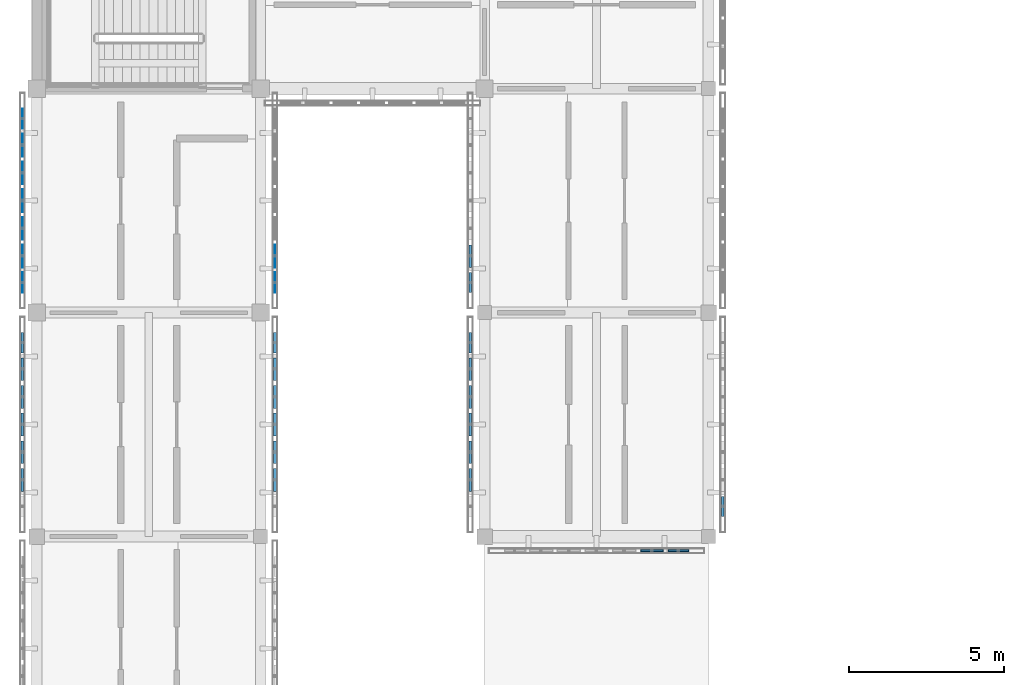
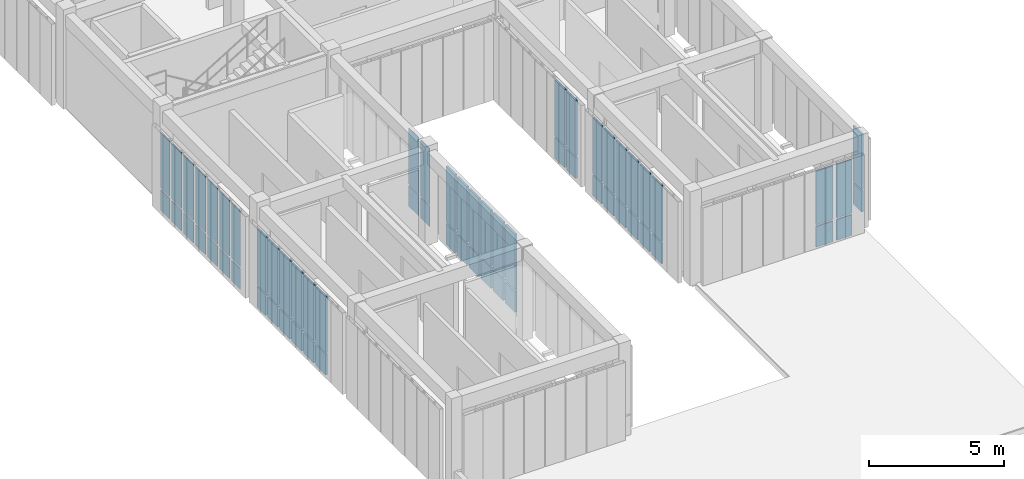
# One storey, part 44 of 91: 64 plates, 8 elements without a shape of their own.
"""IFC4 building model written with IfcOpenShell, lengths in metres."""

from ifc_helpers import new_model, si_unit, direction, frame, origin, origin_2d, place, context, subcontext, project, spatial, rectangle, extrude, material, layer, layer_set, type_object, element, aggregate, save


model = new_model("IFC4")

# Units and contexts
model_context = context("Model", 3, precision=1e-05, world=origin(), true_north=direction((0.0, 1.0)))
body_context = subcontext(model_context, "Body", "Model", "MODEL_VIEW")
ifc_project = project(units=[si_unit("LENGTHUNIT", "METRE"), si_unit("AREAUNIT", "SQUARE_METRE"), si_unit("VOLUMEUNIT", "CUBIC_METRE"), si_unit("PLANEANGLEUNIT", "RADIAN"), si_unit("MASSUNIT", "GRAM", prefix="KILO")], contexts=[model_context])

# Site, building, storey
site_placement = place(None, origin())
site = spatial("IfcSite", under=ifc_project, at=site_placement, CompositionType="ELEMENT")
building_placement = place(site_placement, origin())
building = spatial("IfcBuilding", under=site, at=building_placement, Name="Aldebral Square Health Centre", CompositionType="ELEMENT")
storey_placement = place(building_placement, frame((0.0, 0.0, 9.0)))
storey = spatial("IfcBuildingStorey", under=building, at=storey_placement, Name="L02", CompositionType="ELEMENT", Elevation=9.0)

# Curtain wall, plates
ifc_material_1 = material(Name="Aluminium and low-E solar glass", Category="aluminium")
curtain_wall_type = type_object("IfcCurtainWallType", Name="CW-FIN-SYS", PredefinedType="USERDEFINED", material=ifc_material_1)
curtain_wall_1_placement = place(storey_placement, origin())
curtain_wall_1 = element("IfcCurtainWall", 1, at=curtain_wall_1_placement, inside=storey, type_object=curtain_wall_type, Name="L02 V6 finned curtain wall L02-V6-00-03-W", ObjectType="SOLAR_CURTAIN_WALL", PredefinedType="USERDEFINED")
ifc_material_2 = material(Name="Solar-control low-E double glass", Category="glass")
ifc_layer_1 = layer(ifc_material_2, 0.02001953125, Name="Solar-control low-E double glass", Category="glass")
ifc_layer_set_1 = layer_set([ifc_layer_1], Name="Solar-control low-E double glass")
plate_type_1 = type_object("IfcPlateType", Name="CWP-GLZ-1", PredefinedType="CURTAIN_PANEL", material=ifc_layer_set_1)
plate_1_placement = place(storey_placement, frame((-0.4599609375, 27.834228515625, 0.074951171875), z_axis=(0.0, 0.0, 1.0), x_axis=(0.0, -1.0, 0.0)))
plate_1 = element("IfcPlate", 2, at=plate_1_placement, type_object=plate_type_1, Name="CW1 panel 1.1", PredefinedType="CURTAIN_PANEL", context=body_context, shape_type="SweptSolid", body=[
    extrude(rectangle(XDim=0.6513671875, YDim=0.02001953125, at=origin_2d()), origin(), (0.0, 0.0, 1.0), 0.9375),
])
plate_2_placement = place(storey_placement, frame((-0.4599609375, 27.834228515625, 1.08740234375), z_axis=(0.0, 0.0, 1.0), x_axis=(0.0, -1.0, 0.0)))
plate_2 = element("IfcPlate", 3, at=plate_2_placement, type_object=plate_type_1, Name="CW1 panel 1.2", PredefinedType="CURTAIN_PANEL", context=body_context, shape_type="SweptSolid", body=[
    extrude(rectangle(XDim=0.6513671875, YDim=0.02001953125, at=origin_2d()), origin(), (0.0, 0.0, 1.0), 2.527587890625),
])
plate_3_placement = place(storey_placement, frame((-0.4599609375, 26.98291015625, 0.074951171875), z_axis=(0.0, 0.0, 1.0), x_axis=(0.0, -1.0, 0.0)))
plate_3 = element("IfcPlate", 4, at=plate_3_placement, type_object=plate_type_1, Name="CW1 panel 2.1", PredefinedType="CURTAIN_PANEL", context=body_context, shape_type="SweptSolid", body=[
    extrude(rectangle(XDim=0.7314453125, YDim=0.02001953125, at=origin_2d()), origin(), (0.0, 0.0, 1.0), 0.9375),
])
plate_4_placement = place(storey_placement, frame((-0.4599609375, 26.98291015625, 1.08740234375), z_axis=(0.0, 0.0, 1.0), x_axis=(0.0, -1.0, 0.0)))
plate_4 = element("IfcPlate", 5, at=plate_4_placement, type_object=plate_type_1, Name="CW1 panel 2.2", PredefinedType="CURTAIN_PANEL", context=body_context, shape_type="SweptSolid", body=[
    extrude(rectangle(XDim=0.7314453125, YDim=0.02001953125, at=origin_2d()), origin(), (0.0, 0.0, 1.0), 2.527587890625),
])
plate_5_placement = place(storey_placement, frame((-0.4599609375, 26.09130859375, 0.074951171875), z_axis=(0.0, 0.0, 1.0), x_axis=(0.0, -1.0, 0.0)))
plate_5 = element("IfcPlate", 6, at=plate_5_placement, type_object=plate_type_1, Name="CW1 panel 3.1", PredefinedType="CURTAIN_PANEL", context=body_context, shape_type="SweptSolid", body=[
    extrude(rectangle(XDim=0.7314453125, YDim=0.02001953125, at=origin_2d()), origin(), (0.0, 0.0, 1.0), 0.9375),
])
plate_6_placement = place(storey_placement, frame((-0.4599609375, 26.09130859375, 1.08740234375), z_axis=(0.0, 0.0, 1.0), x_axis=(0.0, -1.0, 0.0)))
plate_6 = element("IfcPlate", 7, at=plate_6_placement, type_object=plate_type_1, Name="CW1 panel 3.2", PredefinedType="CURTAIN_PANEL", context=body_context, shape_type="SweptSolid", body=[
    extrude(rectangle(XDim=0.7314453125, YDim=0.02001953125, at=origin_2d()), origin(), (0.0, 0.0, 1.0), 2.527587890625),
])
plate_7_placement = place(storey_placement, frame((-0.4599609375, 25.199951171875, 0.074951171875), z_axis=(0.0, 0.0, 1.0), x_axis=(0.0, -1.0, 0.0)))
plate_7 = element("IfcPlate", 8, at=plate_7_placement, type_object=plate_type_1, Name="CW1 panel 4.1", PredefinedType="CURTAIN_PANEL", context=body_context, shape_type="SweptSolid", body=[
    extrude(rectangle(XDim=0.7314453125, YDim=0.02001953125, at=origin_2d()), origin(), (0.0, 0.0, 1.0), 0.9375),
])
plate_8_placement = place(storey_placement, frame((-0.4599609375, 25.199951171875, 1.08740234375), z_axis=(0.0, 0.0, 1.0), x_axis=(0.0, -1.0, 0.0)))
plate_8 = element("IfcPlate", 9, at=plate_8_placement, type_object=plate_type_1, Name="CW1 panel 4.2", PredefinedType="CURTAIN_PANEL", context=body_context, shape_type="SweptSolid", body=[
    extrude(rectangle(XDim=0.7314453125, YDim=0.02001953125, at=origin_2d()), origin(), (0.0, 0.0, 1.0), 2.527587890625),
])
plate_9_placement = place(storey_placement, frame((-0.4599609375, 24.30859375, 0.074951171875), z_axis=(0.0, 0.0, 1.0), x_axis=(0.0, -1.0, 0.0)))
plate_9 = element("IfcPlate", 10, at=plate_9_placement, type_object=plate_type_1, Name="CW1 panel 5.1", PredefinedType="CURTAIN_PANEL", context=body_context, shape_type="SweptSolid", body=[
    extrude(rectangle(XDim=0.7314453125, YDim=0.02001953125, at=origin_2d()), origin(), (0.0, 0.0, 1.0), 0.9375),
])
plate_10_placement = place(storey_placement, frame((-0.4599609375, 24.30859375, 1.08740234375), z_axis=(0.0, 0.0, 1.0), x_axis=(0.0, -1.0, 0.0)))
plate_10 = element("IfcPlate", 11, at=plate_10_placement, type_object=plate_type_1, Name="CW1 panel 5.2", PredefinedType="CURTAIN_PANEL", context=body_context, shape_type="SweptSolid", body=[
    extrude(rectangle(XDim=0.7314453125, YDim=0.02001953125, at=origin_2d()), origin(), (0.0, 0.0, 1.0), 2.527587890625),
])
plate_11_placement = place(storey_placement, frame((-0.4599609375, 23.417236328125, 0.074951171875), z_axis=(0.0, 0.0, 1.0), x_axis=(0.0, -1.0, 0.0)))
plate_11 = element("IfcPlate", 12, at=plate_11_placement, type_object=plate_type_1, Name="CW1 panel 6.1", PredefinedType="CURTAIN_PANEL", context=body_context, shape_type="SweptSolid", body=[
    extrude(rectangle(XDim=0.7314453125, YDim=0.02001953125, at=origin_2d()), origin(), (0.0, 0.0, 1.0), 0.9375),
])
plate_12_placement = place(storey_placement, frame((-0.4599609375, 23.417236328125, 1.08740234375), z_axis=(0.0, 0.0, 1.0), x_axis=(0.0, -1.0, 0.0)))
plate_12 = element("IfcPlate", 13, at=plate_12_placement, type_object=plate_type_1, Name="CW1 panel 6.2", PredefinedType="CURTAIN_PANEL", context=body_context, shape_type="SweptSolid", body=[
    extrude(rectangle(XDim=0.7314453125, YDim=0.02001953125, at=origin_2d()), origin(), (0.0, 0.0, 1.0), 2.527587890625),
])
plate_13_placement = place(storey_placement, frame((-0.4599609375, 22.565673828125, 0.074951171875), z_axis=(0.0, 0.0, 1.0), x_axis=(0.0, -1.0, 0.0)))
plate_13 = element("IfcPlate", 14, at=plate_13_placement, type_object=plate_type_1, Name="CW1 panel 7.1", PredefinedType="CURTAIN_PANEL", context=body_context, shape_type="SweptSolid", body=[
    extrude(rectangle(XDim=0.6513671875, YDim=0.02001953125, at=origin_2d()), origin(), (0.0, 0.0, 1.0), 0.9375),
])
plate_14_placement = place(storey_placement, frame((-0.4599609375, 22.565673828125, 1.08740234375), z_axis=(0.0, 0.0, 1.0), x_axis=(0.0, -1.0, 0.0)))
plate_14 = element("IfcPlate", 15, at=plate_14_placement, type_object=plate_type_1, Name="CW1 panel 7.2", PredefinedType="CURTAIN_PANEL", context=body_context, shape_type="SweptSolid", body=[
    extrude(rectangle(XDim=0.6513671875, YDim=0.02001953125, at=origin_2d()), origin(), (0.0, 0.0, 1.0), 2.527587890625),
])
aggregate(curtain_wall_1, [plate_1, plate_2, plate_3, plate_4, plate_5, plate_6, plate_7, plate_8, plate_9, plate_10, plate_11, plate_12, plate_13, plate_14])

curtain_wall_2_placement = place(storey_placement, origin())
curtain_wall_2 = element("IfcCurtainWall", 16, at=curtain_wall_2_placement, inside=storey, type_object=curtain_wall_type, Name="L02 V6 finned curtain wall L02-V6-00-03-E", ObjectType="SOLAR_CURTAIN_WALL", PredefinedType="USERDEFINED")
ifc_layer_2 = layer(ifc_material_2, 0.030029296875, Name="Solar-control low-E double glass", Category="glass")
ifc_layer_set_2 = layer_set([ifc_layer_2], Name="Solar-control low-E double glass")
plate_type_2 = type_object("IfcPlateType", Name="CWP-GLZ-2", PredefinedType="CURTAIN_PANEL", material=ifc_layer_set_2)
plate_15_placement = place(storey_placement, frame((7.659912109375, 22.565673828125, 0.074951171875), z_axis=(0.0, 0.0, 1.0), x_axis=(0.0, 1.0, 0.0)))
plate_15 = element("IfcPlate", 17, at=plate_15_placement, type_object=plate_type_2, Name="CW1 panel 1.1", PredefinedType="CURTAIN_PANEL", context=body_context, shape_type="SweptSolid", body=[
    extrude(rectangle(XDim=0.6513671875, YDim=0.030029296875, at=origin_2d()), origin(), (0.0, 0.0, 1.0), 0.9375),
])
plate_16_placement = place(storey_placement, frame((7.659912109375, 22.565673828125, 1.08740234375), z_axis=(0.0, 0.0, 1.0), x_axis=(0.0, 1.0, 0.0)))
plate_16 = element("IfcPlate", 18, at=plate_16_placement, type_object=plate_type_2, Name="CW1 panel 1.2", PredefinedType="CURTAIN_PANEL", context=body_context, shape_type="SweptSolid", body=[
    extrude(rectangle(XDim=0.6513671875, YDim=0.030029296875, at=origin_2d()), origin(), (0.0, 0.0, 1.0), 2.527587890625),
])
plate_17_placement = place(storey_placement, frame((7.659912109375, 23.417236328125, 0.074951171875), z_axis=(0.0, 0.0, 1.0), x_axis=(0.0, 1.0, 0.0)))
plate_17 = element("IfcPlate", 19, at=plate_17_placement, type_object=plate_type_2, Name="CW1 panel 2.1", PredefinedType="CURTAIN_PANEL", context=body_context, shape_type="SweptSolid", body=[
    extrude(rectangle(XDim=0.7314453125, YDim=0.030029296875, at=origin_2d()), origin(), (0.0, 0.0, 1.0), 0.9375),
])
plate_18_placement = place(storey_placement, frame((7.659912109375, 23.417236328125, 1.08740234375), z_axis=(0.0, 0.0, 1.0), x_axis=(0.0, 1.0, 0.0)))
plate_18 = element("IfcPlate", 20, at=plate_18_placement, type_object=plate_type_2, Name="CW1 panel 2.2", PredefinedType="CURTAIN_PANEL", context=body_context, shape_type="SweptSolid", body=[
    extrude(rectangle(XDim=0.7314453125, YDim=0.030029296875, at=origin_2d()), origin(), (0.0, 0.0, 1.0), 2.527587890625),
])
aggregate(curtain_wall_2, [plate_15, plate_16, plate_17, plate_18])

curtain_wall_3_placement = place(storey_placement, origin())
curtain_wall_3 = element("IfcCurtainWall", 21, at=curtain_wall_3_placement, inside=storey, type_object=curtain_wall_type, Name="L02 V6 finned curtain wall L02-V6-02-02-S", ObjectType="SOLAR_CURTAIN_WALL", PredefinedType="USERDEFINED")
ifc_layer_3 = layer(ifc_material_2, 0.06005859375, Name="Solar-control low-E double glass", Category="glass")
ifc_layer_set_3 = layer_set([ifc_layer_3], Name="Solar-control low-E double glass")
plate_type_3 = type_object("IfcPlateType", Name="CWP-GLZ-5", PredefinedType="CURTAIN_PANEL", material=ifc_layer_set_3)
plate_19_placement = place(storey_placement, frame((19.782958984375, 13.93994140625, 0.074951171875), z_axis=(0.0, 0.0, 1.0), x_axis=(1.0, 0.0, 0.0)))
plate_19 = element("IfcPlate", 22, at=plate_19_placement, type_object=plate_type_3, Name="CW1 panel 6.1", PredefinedType="CURTAIN_PANEL", context=body_context, shape_type="SweptSolid", body=[
    extrude(rectangle(XDim=0.7314453125, YDim=0.06005859375, at=origin_2d()), origin(), (0.0, 0.0, 1.0), 0.9375),
])
plate_20_placement = place(storey_placement, frame((19.782958984375, 13.93994140625, 1.08740234375), z_axis=(0.0, 0.0, 1.0), x_axis=(1.0, 0.0, 0.0)))
plate_20 = element("IfcPlate", 23, at=plate_20_placement, type_object=plate_type_3, Name="CW1 panel 6.2", PredefinedType="CURTAIN_PANEL", context=body_context, shape_type="SweptSolid", body=[
    extrude(rectangle(XDim=0.7314453125, YDim=0.06005859375, at=origin_2d()), origin(), (0.0, 0.0, 1.0), 2.427490234375),
])
plate_21_placement = place(storey_placement, frame((20.63427734375, 13.93994140625, 0.074951171875), z_axis=(0.0, 0.0, 1.0), x_axis=(1.0, 0.0, 0.0)))
plate_21 = element("IfcPlate", 24, at=plate_21_placement, type_object=plate_type_3, Name="CW1 panel 7.1", PredefinedType="CURTAIN_PANEL", context=body_context, shape_type="SweptSolid", body=[
    extrude(rectangle(XDim=0.6513671875, YDim=0.06005859375, at=origin_2d()), origin(), (0.0, 0.0, 1.0), 0.9375),
])
plate_22_placement = place(storey_placement, frame((20.63427734375, 13.93994140625, 1.08740234375), z_axis=(0.0, 0.0, 1.0), x_axis=(1.0, 0.0, 0.0)))
plate_22 = element("IfcPlate", 25, at=plate_22_placement, type_object=plate_type_3, Name="CW1 panel 7.2", PredefinedType="CURTAIN_PANEL", context=body_context, shape_type="SweptSolid", body=[
    extrude(rectangle(XDim=0.6513671875, YDim=0.06005859375, at=origin_2d()), origin(), (0.0, 0.0, 1.0), 2.427490234375),
])
aggregate(curtain_wall_3, [plate_19, plate_20, plate_21, plate_22])

curtain_wall_4_placement = place(storey_placement, origin())
curtain_wall_4 = element("IfcCurtainWall", 26, at=curtain_wall_4_placement, inside=storey, type_object=curtain_wall_type, Name="L02 V6 finned curtain wall L02-V6-02-02-W", ObjectType="SOLAR_CURTAIN_WALL", PredefinedType="USERDEFINED")
ifc_layer_4 = layer(ifc_material_2, 0.070068359375, Name="Solar-control low-E double glass", Category="glass")
ifc_layer_set_4 = layer_set([ifc_layer_4], Name="Solar-control low-E double glass")
plate_type_4 = type_object("IfcPlateType", Name="CWP-GLZ-6", PredefinedType="CURTAIN_PANEL", material=ifc_layer_set_4)
plate_23_placement = place(storey_placement, frame((13.93994140625, 20.63427734375, 0.074951171875), z_axis=(0.0, 0.0, 1.0), x_axis=(0.0, -1.0, 0.0)))
plate_23 = element("IfcPlate", 27, at=plate_23_placement, type_object=plate_type_4, Name="CW1 panel 1.1", PredefinedType="CURTAIN_PANEL", context=body_context, shape_type="SweptSolid", body=[
    extrude(rectangle(XDim=0.6513671875, YDim=0.070068359375, at=origin_2d()), origin(), (0.0, 0.0, 1.0), 0.9375),
])
plate_24_placement = place(storey_placement, frame((13.93994140625, 20.63427734375, 1.08740234375), z_axis=(0.0, 0.0, 1.0), x_axis=(0.0, -1.0, 0.0)))
plate_24 = element("IfcPlate", 28, at=plate_24_placement, type_object=plate_type_4, Name="CW1 panel 1.2", PredefinedType="CURTAIN_PANEL", context=body_context, shape_type="SweptSolid", body=[
    extrude(rectangle(XDim=0.6513671875, YDim=0.070068359375, at=origin_2d()), origin(), (0.0, 0.0, 1.0), 2.527587890625),
])
plate_25_placement = place(storey_placement, frame((13.93994140625, 19.782958984375, 0.074951171875), z_axis=(0.0, 0.0, 1.0), x_axis=(0.0, -1.0, 0.0)))
plate_25 = element("IfcPlate", 29, at=plate_25_placement, type_object=plate_type_4, Name="CW1 panel 2.1", PredefinedType="CURTAIN_PANEL", context=body_context, shape_type="SweptSolid", body=[
    extrude(rectangle(XDim=0.7314453125, YDim=0.070068359375, at=origin_2d()), origin(), (0.0, 0.0, 1.0), 0.9375),
])
plate_26_placement = place(storey_placement, frame((13.93994140625, 19.782958984375, 1.08740234375), z_axis=(0.0, 0.0, 1.0), x_axis=(0.0, -1.0, 0.0)))
plate_26 = element("IfcPlate", 30, at=plate_26_placement, type_object=plate_type_4, Name="CW1 panel 2.2", PredefinedType="CURTAIN_PANEL", context=body_context, shape_type="SweptSolid", body=[
    extrude(rectangle(XDim=0.7314453125, YDim=0.070068359375, at=origin_2d()), origin(), (0.0, 0.0, 1.0), 2.527587890625),
])
plate_27_placement = place(storey_placement, frame((13.93994140625, 18.891357421875, 0.074951171875), z_axis=(0.0, 0.0, 1.0), x_axis=(0.0, -1.0, 0.0)))
plate_27 = element("IfcPlate", 31, at=plate_27_placement, type_object=plate_type_4, Name="CW1 panel 3.1", PredefinedType="CURTAIN_PANEL", context=body_context, shape_type="SweptSolid", body=[
    extrude(rectangle(XDim=0.7314453125, YDim=0.070068359375, at=origin_2d()), origin(), (0.0, 0.0, 1.0), 0.9375),
])
plate_28_placement = place(storey_placement, frame((13.93994140625, 18.891357421875, 1.08740234375), z_axis=(0.0, 0.0, 1.0), x_axis=(0.0, -1.0, 0.0)))
plate_28 = element("IfcPlate", 32, at=plate_28_placement, type_object=plate_type_4, Name="CW1 panel 3.2", PredefinedType="CURTAIN_PANEL", context=body_context, shape_type="SweptSolid", body=[
    extrude(rectangle(XDim=0.7314453125, YDim=0.070068359375, at=origin_2d()), origin(), (0.0, 0.0, 1.0), 2.527587890625),
])
plate_29_placement = place(storey_placement, frame((13.93994140625, 18.0, 0.074951171875), z_axis=(0.0, 0.0, 1.0), x_axis=(0.0, -1.0, 0.0)))
plate_29 = element("IfcPlate", 33, at=plate_29_placement, type_object=plate_type_4, Name="CW1 panel 4.1", PredefinedType="CURTAIN_PANEL", context=body_context, shape_type="SweptSolid", body=[
    extrude(rectangle(XDim=0.7314453125, YDim=0.070068359375, at=origin_2d()), origin(), (0.0, 0.0, 1.0), 0.9375),
])
plate_30_placement = place(storey_placement, frame((13.93994140625, 18.0, 1.08740234375), z_axis=(0.0, 0.0, 1.0), x_axis=(0.0, -1.0, 0.0)))
plate_30 = element("IfcPlate", 34, at=plate_30_placement, type_object=plate_type_4, Name="CW1 panel 4.2", PredefinedType="CURTAIN_PANEL", context=body_context, shape_type="SweptSolid", body=[
    extrude(rectangle(XDim=0.7314453125, YDim=0.070068359375, at=origin_2d()), origin(), (0.0, 0.0, 1.0), 2.527587890625),
])
plate_31_placement = place(storey_placement, frame((13.93994140625, 17.108642578125, 0.074951171875), z_axis=(0.0, 0.0, 1.0), x_axis=(0.0, -1.0, 0.0)))
plate_31 = element("IfcPlate", 35, at=plate_31_placement, type_object=plate_type_4, Name="CW1 panel 5.1", PredefinedType="CURTAIN_PANEL", context=body_context, shape_type="SweptSolid", body=[
    extrude(rectangle(XDim=0.7314453125, YDim=0.070068359375, at=origin_2d()), origin(), (0.0, 0.0, 1.0), 0.9375),
])
plate_32_placement = place(storey_placement, frame((13.93994140625, 17.108642578125, 1.08740234375), z_axis=(0.0, 0.0, 1.0), x_axis=(0.0, -1.0, 0.0)))
plate_32 = element("IfcPlate", 36, at=plate_32_placement, type_object=plate_type_4, Name="CW1 panel 5.2", PredefinedType="CURTAIN_PANEL", context=body_context, shape_type="SweptSolid", body=[
    extrude(rectangle(XDim=0.7314453125, YDim=0.070068359375, at=origin_2d()), origin(), (0.0, 0.0, 1.0), 2.527587890625),
])
plate_33_placement = place(storey_placement, frame((13.93994140625, 16.217041015625, 0.074951171875), z_axis=(0.0, 0.0, 1.0), x_axis=(0.0, -1.0, 0.0)))
plate_33 = element("IfcPlate", 37, at=plate_33_placement, type_object=plate_type_4, Name="CW1 panel 6.1", PredefinedType="CURTAIN_PANEL", context=body_context, shape_type="SweptSolid", body=[
    extrude(rectangle(XDim=0.7314453125, YDim=0.070068359375, at=origin_2d()), origin(), (0.0, 0.0, 1.0), 0.9375),
])
plate_34_placement = place(storey_placement, frame((13.93994140625, 16.217041015625, 1.08740234375), z_axis=(0.0, 0.0, 1.0), x_axis=(0.0, -1.0, 0.0)))
plate_34 = element("IfcPlate", 38, at=plate_34_placement, type_object=plate_type_4, Name="CW1 panel 6.2", PredefinedType="CURTAIN_PANEL", context=body_context, shape_type="SweptSolid", body=[
    extrude(rectangle(XDim=0.7314453125, YDim=0.070068359375, at=origin_2d()), origin(), (0.0, 0.0, 1.0), 2.527587890625),
])
aggregate(curtain_wall_4, [plate_23, plate_24, plate_25, plate_26, plate_27, plate_28, plate_29, plate_30, plate_31, plate_32, plate_33, plate_34])

curtain_wall_5_placement = place(storey_placement, origin())
curtain_wall_5 = element("IfcCurtainWall", 39, at=curtain_wall_5_placement, inside=storey, type_object=curtain_wall_type, Name="L02 V6 finned curtain wall L02-V6-00-02-W", ObjectType="SOLAR_CURTAIN_WALL", PredefinedType="USERDEFINED")
ifc_layer_5 = layer(ifc_material_2, 0.080078125, Name="Solar-control low-E double glass", Category="glass")
ifc_layer_set_5 = layer_set([ifc_layer_5], Name="Solar-control low-E double glass")
plate_type_5 = type_object("IfcPlateType", Name="CWP-GLZ-7", PredefinedType="CURTAIN_PANEL", material=ifc_layer_set_5)
plate_35_placement = place(storey_placement, frame((-0.4599609375, 20.63427734375, 0.074951171875), z_axis=(0.0, 0.0, 1.0), x_axis=(0.0, -1.0, 0.0)))
plate_35 = element("IfcPlate", 40, at=plate_35_placement, type_object=plate_type_5, Name="CW1 panel 1.1", PredefinedType="CURTAIN_PANEL", context=body_context, shape_type="SweptSolid", body=[
    extrude(rectangle(XDim=0.6513671875, YDim=0.080078125, at=origin_2d()), origin(), (0.0, 0.0, 1.0), 0.9375),
])
plate_36_placement = place(storey_placement, frame((-0.4599609375, 20.63427734375, 1.08740234375), z_axis=(0.0, 0.0, 1.0), x_axis=(0.0, -1.0, 0.0)))
plate_36 = element("IfcPlate", 41, at=plate_36_placement, type_object=plate_type_5, Name="CW1 panel 1.2", PredefinedType="CURTAIN_PANEL", context=body_context, shape_type="SweptSolid", body=[
    extrude(rectangle(XDim=0.6513671875, YDim=0.080078125, at=origin_2d()), origin(), (0.0, 0.0, 1.0), 2.527587890625),
])
plate_37_placement = place(storey_placement, frame((-0.4599609375, 19.782958984375, 0.074951171875), z_axis=(0.0, 0.0, 1.0), x_axis=(0.0, -1.0, 0.0)))
plate_37 = element("IfcPlate", 42, at=plate_37_placement, type_object=plate_type_5, Name="CW1 panel 2.1", PredefinedType="CURTAIN_PANEL", context=body_context, shape_type="SweptSolid", body=[
    extrude(rectangle(XDim=0.7314453125, YDim=0.080078125, at=origin_2d()), origin(), (0.0, 0.0, 1.0), 0.9375),
])
plate_38_placement = place(storey_placement, frame((-0.4599609375, 19.782958984375, 1.08740234375), z_axis=(0.0, 0.0, 1.0), x_axis=(0.0, -1.0, 0.0)))
plate_38 = element("IfcPlate", 43, at=plate_38_placement, type_object=plate_type_5, Name="CW1 panel 2.2", PredefinedType="CURTAIN_PANEL", context=body_context, shape_type="SweptSolid", body=[
    extrude(rectangle(XDim=0.7314453125, YDim=0.080078125, at=origin_2d()), origin(), (0.0, 0.0, 1.0), 2.527587890625),
])
plate_39_placement = place(storey_placement, frame((-0.4599609375, 18.891357421875, 0.074951171875), z_axis=(0.0, 0.0, 1.0), x_axis=(0.0, -1.0, 0.0)))
plate_39 = element("IfcPlate", 44, at=plate_39_placement, type_object=plate_type_5, Name="CW1 panel 3.1", PredefinedType="CURTAIN_PANEL", context=body_context, shape_type="SweptSolid", body=[
    extrude(rectangle(XDim=0.7314453125, YDim=0.080078125, at=origin_2d()), origin(), (0.0, 0.0, 1.0), 0.9375),
])
plate_40_placement = place(storey_placement, frame((-0.4599609375, 18.891357421875, 1.08740234375), z_axis=(0.0, 0.0, 1.0), x_axis=(0.0, -1.0, 0.0)))
plate_40 = element("IfcPlate", 45, at=plate_40_placement, type_object=plate_type_5, Name="CW1 panel 3.2", PredefinedType="CURTAIN_PANEL", context=body_context, shape_type="SweptSolid", body=[
    extrude(rectangle(XDim=0.7314453125, YDim=0.080078125, at=origin_2d()), origin(), (0.0, 0.0, 1.0), 2.527587890625),
])
plate_41_placement = place(storey_placement, frame((-0.4599609375, 18.0, 0.074951171875), z_axis=(0.0, 0.0, 1.0), x_axis=(0.0, -1.0, 0.0)))
plate_41 = element("IfcPlate", 46, at=plate_41_placement, type_object=plate_type_5, Name="CW1 panel 4.1", PredefinedType="CURTAIN_PANEL", context=body_context, shape_type="SweptSolid", body=[
    extrude(rectangle(XDim=0.7314453125, YDim=0.080078125, at=origin_2d()), origin(), (0.0, 0.0, 1.0), 0.9375),
])
plate_42_placement = place(storey_placement, frame((-0.4599609375, 18.0, 1.08740234375), z_axis=(0.0, 0.0, 1.0), x_axis=(0.0, -1.0, 0.0)))
plate_42 = element("IfcPlate", 47, at=plate_42_placement, type_object=plate_type_5, Name="CW1 panel 4.2", PredefinedType="CURTAIN_PANEL", context=body_context, shape_type="SweptSolid", body=[
    extrude(rectangle(XDim=0.7314453125, YDim=0.080078125, at=origin_2d()), origin(), (0.0, 0.0, 1.0), 2.527587890625),
])
plate_43_placement = place(storey_placement, frame((-0.4599609375, 17.108642578125, 0.074951171875), z_axis=(0.0, 0.0, 1.0), x_axis=(0.0, -1.0, 0.0)))
plate_43 = element("IfcPlate", 48, at=plate_43_placement, type_object=plate_type_5, Name="CW1 panel 5.1", PredefinedType="CURTAIN_PANEL", context=body_context, shape_type="SweptSolid", body=[
    extrude(rectangle(XDim=0.7314453125, YDim=0.080078125, at=origin_2d()), origin(), (0.0, 0.0, 1.0), 0.9375),
])
plate_44_placement = place(storey_placement, frame((-0.4599609375, 17.108642578125, 1.08740234375), z_axis=(0.0, 0.0, 1.0), x_axis=(0.0, -1.0, 0.0)))
plate_44 = element("IfcPlate", 49, at=plate_44_placement, type_object=plate_type_5, Name="CW1 panel 5.2", PredefinedType="CURTAIN_PANEL", context=body_context, shape_type="SweptSolid", body=[
    extrude(rectangle(XDim=0.7314453125, YDim=0.080078125, at=origin_2d()), origin(), (0.0, 0.0, 1.0), 2.527587890625),
])
plate_45_placement = place(storey_placement, frame((-0.4599609375, 16.217041015625, 0.074951171875), z_axis=(0.0, 0.0, 1.0), x_axis=(0.0, -1.0, 0.0)))
plate_45 = element("IfcPlate", 50, at=plate_45_placement, type_object=plate_type_5, Name="CW1 panel 6.1", PredefinedType="CURTAIN_PANEL", context=body_context, shape_type="SweptSolid", body=[
    extrude(rectangle(XDim=0.7314453125, YDim=0.080078125, at=origin_2d()), origin(), (0.0, 0.0, 1.0), 0.9375),
])
plate_46_placement = place(storey_placement, frame((-0.4599609375, 16.217041015625, 1.08740234375), z_axis=(0.0, 0.0, 1.0), x_axis=(0.0, -1.0, 0.0)))
plate_46 = element("IfcPlate", 51, at=plate_46_placement, type_object=plate_type_5, Name="CW1 panel 6.2", PredefinedType="CURTAIN_PANEL", context=body_context, shape_type="SweptSolid", body=[
    extrude(rectangle(XDim=0.7314453125, YDim=0.080078125, at=origin_2d()), origin(), (0.0, 0.0, 1.0), 2.527587890625),
])
aggregate(curtain_wall_5, [plate_35, plate_36, plate_37, plate_38, plate_39, plate_40, plate_41, plate_42, plate_43, plate_44, plate_45, plate_46])

curtain_wall_6_placement = place(storey_placement, origin())
curtain_wall_6 = element("IfcCurtainWall", 52, at=curtain_wall_6_placement, inside=storey, type_object=curtain_wall_type, Name="L02 V6 finned curtain wall L02-V6-02-02-E", ObjectType="SOLAR_CURTAIN_WALL", PredefinedType="USERDEFINED")
plate_47_placement = place(storey_placement, frame((22.06005859375, 15.36572265625, 0.074951171875), z_axis=(0.0, 0.0, 1.0), x_axis=(0.0, 1.0, 0.0)))
plate_47 = element("IfcPlate", 53, at=plate_47_placement, type_object=plate_type_5, Name="CW1 panel 1.1", PredefinedType="CURTAIN_PANEL", context=body_context, shape_type="SweptSolid", body=[
    extrude(rectangle(XDim=0.6513671875, YDim=0.080078125, at=origin_2d()), origin(), (0.0, 0.0, 1.0), 0.9375),
])
plate_48_placement = place(storey_placement, frame((22.06005859375, 15.36572265625, 1.08740234375), z_axis=(0.0, 0.0, 1.0), x_axis=(0.0, 1.0, 0.0)))
plate_48 = element("IfcPlate", 54, at=plate_48_placement, type_object=plate_type_5, Name="CW1 panel 1.2", PredefinedType="CURTAIN_PANEL", context=body_context, shape_type="SweptSolid", body=[
    extrude(rectangle(XDim=0.6513671875, YDim=0.080078125, at=origin_2d()), origin(), (0.0, 0.0, 1.0), 2.527587890625),
])
aggregate(curtain_wall_6, [plate_47, plate_48])

curtain_wall_7_placement = place(storey_placement, origin())
curtain_wall_7 = element("IfcCurtainWall", 55, at=curtain_wall_7_placement, inside=storey, type_object=curtain_wall_type, Name="L02 V6 finned curtain wall L02-V6-00-02-E", ObjectType="SOLAR_CURTAIN_WALL", PredefinedType="USERDEFINED")
ifc_layer_6 = layer(ifc_material_2, 0.090087890625, Name="Solar-control low-E double glass", Category="glass")
ifc_layer_set_6 = layer_set([ifc_layer_6], Name="Solar-control low-E double glass")
plate_type_6 = type_object("IfcPlateType", Name="CWP-GLZ-8", PredefinedType="CURTAIN_PANEL", material=ifc_layer_set_6)
plate_49_placement = place(storey_placement, frame((7.659912109375, 16.217041015625, 0.074951171875), z_axis=(0.0, 0.0, 1.0), x_axis=(0.0, 1.0, 0.0)))
plate_49 = element("IfcPlate", 56, at=plate_49_placement, type_object=plate_type_6, Name="CW1 panel 2.1", PredefinedType="CURTAIN_PANEL", context=body_context, shape_type="SweptSolid", body=[
    extrude(rectangle(XDim=0.7314453125, YDim=0.090087890625, at=origin_2d()), origin(), (0.0, 0.0, 1.0), 0.9375),
])
plate_50_placement = place(storey_placement, frame((7.659912109375, 16.217041015625, 1.08740234375), z_axis=(0.0, 0.0, 1.0), x_axis=(0.0, 1.0, 0.0)))
plate_50 = element("IfcPlate", 57, at=plate_50_placement, type_object=plate_type_6, Name="CW1 panel 2.2", PredefinedType="CURTAIN_PANEL", context=body_context, shape_type="SweptSolid", body=[
    extrude(rectangle(XDim=0.7314453125, YDim=0.090087890625, at=origin_2d()), origin(), (0.0, 0.0, 1.0), 2.527587890625),
])
plate_51_placement = place(storey_placement, frame((7.659912109375, 17.108642578125, 0.074951171875), z_axis=(0.0, 0.0, 1.0), x_axis=(0.0, 1.0, 0.0)))
plate_51 = element("IfcPlate", 58, at=plate_51_placement, type_object=plate_type_6, Name="CW1 panel 3.1", PredefinedType="CURTAIN_PANEL", context=body_context, shape_type="SweptSolid", body=[
    extrude(rectangle(XDim=0.7314453125, YDim=0.090087890625, at=origin_2d()), origin(), (0.0, 0.0, 1.0), 0.9375),
])
plate_52_placement = place(storey_placement, frame((7.659912109375, 17.108642578125, 1.08740234375), z_axis=(0.0, 0.0, 1.0), x_axis=(0.0, 1.0, 0.0)))
plate_52 = element("IfcPlate", 59, at=plate_52_placement, type_object=plate_type_6, Name="CW1 panel 3.2", PredefinedType="CURTAIN_PANEL", context=body_context, shape_type="SweptSolid", body=[
    extrude(rectangle(XDim=0.7314453125, YDim=0.090087890625, at=origin_2d()), origin(), (0.0, 0.0, 1.0), 2.527587890625),
])
plate_53_placement = place(storey_placement, frame((7.659912109375, 18.0, 0.074951171875), z_axis=(0.0, 0.0, 1.0), x_axis=(0.0, 1.0, 0.0)))
plate_53 = element("IfcPlate", 60, at=plate_53_placement, type_object=plate_type_6, Name="CW1 panel 4.1", PredefinedType="CURTAIN_PANEL", context=body_context, shape_type="SweptSolid", body=[
    extrude(rectangle(XDim=0.7314453125, YDim=0.090087890625, at=origin_2d()), origin(), (0.0, 0.0, 1.0), 0.9375),
])
plate_54_placement = place(storey_placement, frame((7.659912109375, 18.0, 1.08740234375), z_axis=(0.0, 0.0, 1.0), x_axis=(0.0, 1.0, 0.0)))
plate_54 = element("IfcPlate", 61, at=plate_54_placement, type_object=plate_type_6, Name="CW1 panel 4.2", PredefinedType="CURTAIN_PANEL", context=body_context, shape_type="SweptSolid", body=[
    extrude(rectangle(XDim=0.7314453125, YDim=0.090087890625, at=origin_2d()), origin(), (0.0, 0.0, 1.0), 2.527587890625),
])
plate_55_placement = place(storey_placement, frame((7.659912109375, 18.891357421875, 0.074951171875), z_axis=(0.0, 0.0, 1.0), x_axis=(0.0, 1.0, 0.0)))
plate_55 = element("IfcPlate", 62, at=plate_55_placement, type_object=plate_type_6, Name="CW1 panel 5.1", PredefinedType="CURTAIN_PANEL", context=body_context, shape_type="SweptSolid", body=[
    extrude(rectangle(XDim=0.7314453125, YDim=0.090087890625, at=origin_2d()), origin(), (0.0, 0.0, 1.0), 0.9375),
])
plate_56_placement = place(storey_placement, frame((7.659912109375, 18.891357421875, 1.08740234375), z_axis=(0.0, 0.0, 1.0), x_axis=(0.0, 1.0, 0.0)))
plate_56 = element("IfcPlate", 63, at=plate_56_placement, type_object=plate_type_6, Name="CW1 panel 5.2", PredefinedType="CURTAIN_PANEL", context=body_context, shape_type="SweptSolid", body=[
    extrude(rectangle(XDim=0.7314453125, YDim=0.090087890625, at=origin_2d()), origin(), (0.0, 0.0, 1.0), 2.527587890625),
])
plate_57_placement = place(storey_placement, frame((7.659912109375, 19.782958984375, 0.074951171875), z_axis=(0.0, 0.0, 1.0), x_axis=(0.0, 1.0, 0.0)))
plate_57 = element("IfcPlate", 64, at=plate_57_placement, type_object=plate_type_6, Name="CW1 panel 6.1", PredefinedType="CURTAIN_PANEL", context=body_context, shape_type="SweptSolid", body=[
    extrude(rectangle(XDim=0.7314453125, YDim=0.090087890625, at=origin_2d()), origin(), (0.0, 0.0, 1.0), 0.9375),
])
plate_58_placement = place(storey_placement, frame((7.659912109375, 19.782958984375, 1.08740234375), z_axis=(0.0, 0.0, 1.0), x_axis=(0.0, 1.0, 0.0)))
plate_58 = element("IfcPlate", 65, at=plate_58_placement, type_object=plate_type_6, Name="CW1 panel 6.2", PredefinedType="CURTAIN_PANEL", context=body_context, shape_type="SweptSolid", body=[
    extrude(rectangle(XDim=0.7314453125, YDim=0.090087890625, at=origin_2d()), origin(), (0.0, 0.0, 1.0), 2.527587890625),
])
plate_59_placement = place(storey_placement, frame((7.659912109375, 20.63427734375, 0.074951171875), z_axis=(0.0, 0.0, 1.0), x_axis=(0.0, 1.0, 0.0)))
plate_59 = element("IfcPlate", 66, at=plate_59_placement, type_object=plate_type_6, Name="CW1 panel 7.1", PredefinedType="CURTAIN_PANEL", context=body_context, shape_type="SweptSolid", body=[
    extrude(rectangle(XDim=0.6513671875, YDim=0.090087890625, at=origin_2d()), origin(), (0.0, 0.0, 1.0), 0.9375),
])
plate_60_placement = place(storey_placement, frame((7.659912109375, 20.63427734375, 1.08740234375), z_axis=(0.0, 0.0, 1.0), x_axis=(0.0, 1.0, 0.0)))
plate_60 = element("IfcPlate", 67, at=plate_60_placement, type_object=plate_type_6, Name="CW1 panel 7.2", PredefinedType="CURTAIN_PANEL", context=body_context, shape_type="SweptSolid", body=[
    extrude(rectangle(XDim=0.6513671875, YDim=0.090087890625, at=origin_2d()), origin(), (0.0, 0.0, 1.0), 2.527587890625),
])
aggregate(curtain_wall_7, [plate_49, plate_50, plate_51, plate_52, plate_53, plate_54, plate_55, plate_56, plate_57, plate_58, plate_59, plate_60])

curtain_wall_8_placement = place(storey_placement, origin())
curtain_wall_8 = element("IfcCurtainWall", 68, at=curtain_wall_8_placement, inside=storey, type_object=curtain_wall_type, Name="L02 V6 finned curtain wall L02-V6-02-03-W", ObjectType="SOLAR_CURTAIN_WALL", PredefinedType="USERDEFINED")
plate_61_placement = place(storey_placement, frame((13.93994140625, 23.417236328125, 0.074951171875), z_axis=(0.0, 0.0, 1.0), x_axis=(0.0, -1.0, 0.0)))
plate_61 = element("IfcPlate", 69, at=plate_61_placement, type_object=plate_type_6, Name="CW1 panel 6.1", PredefinedType="CURTAIN_PANEL", context=body_context, shape_type="SweptSolid", body=[
    extrude(rectangle(XDim=0.7314453125, YDim=0.090087890625, at=origin_2d()), origin(), (0.0, 0.0, 1.0), 0.9375),
])
plate_62_placement = place(storey_placement, frame((13.93994140625, 23.417236328125, 1.08740234375), z_axis=(0.0, 0.0, 1.0), x_axis=(0.0, -1.0, 0.0)))
plate_62 = element("IfcPlate", 70, at=plate_62_placement, type_object=plate_type_6, Name="CW1 panel 6.2", PredefinedType="CURTAIN_PANEL", context=body_context, shape_type="SweptSolid", body=[
    extrude(rectangle(XDim=0.7314453125, YDim=0.090087890625, at=origin_2d()), origin(), (0.0, 0.0, 1.0), 2.527587890625),
])
plate_63_placement = place(storey_placement, frame((13.93994140625, 22.565673828125, 0.074951171875), z_axis=(0.0, 0.0, 1.0), x_axis=(0.0, -1.0, 0.0)))
plate_63 = element("IfcPlate", 71, at=plate_63_placement, type_object=plate_type_6, Name="CW1 panel 7.1", PredefinedType="CURTAIN_PANEL", context=body_context, shape_type="SweptSolid", body=[
    extrude(rectangle(XDim=0.6513671875, YDim=0.090087890625, at=origin_2d()), origin(), (0.0, 0.0, 1.0), 0.9375),
])
plate_64_placement = place(storey_placement, frame((13.93994140625, 22.565673828125, 1.08740234375), z_axis=(0.0, 0.0, 1.0), x_axis=(0.0, -1.0, 0.0)))
plate_64 = element("IfcPlate", 72, at=plate_64_placement, type_object=plate_type_6, Name="CW1 panel 7.2", PredefinedType="CURTAIN_PANEL", context=body_context, shape_type="SweptSolid", body=[
    extrude(rectangle(XDim=0.6513671875, YDim=0.090087890625, at=origin_2d()), origin(), (0.0, 0.0, 1.0), 2.527587890625),
])
aggregate(curtain_wall_8, [plate_61, plate_62, plate_63, plate_64])

save(model, "model.ifc")
